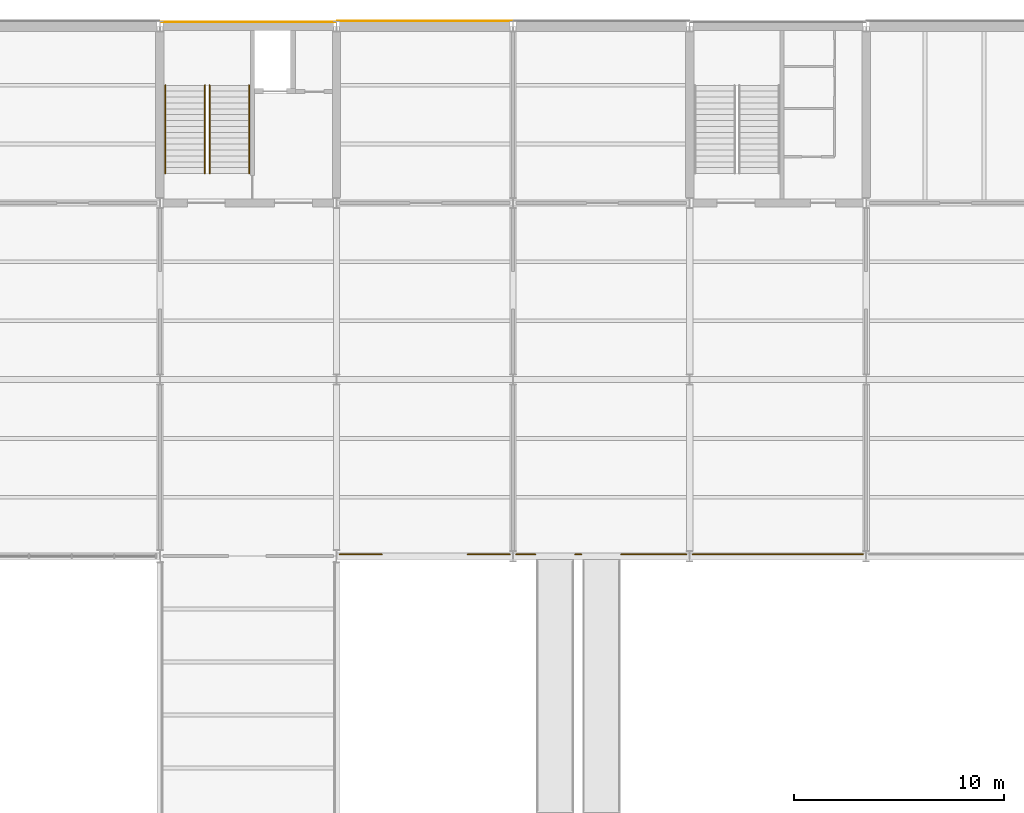
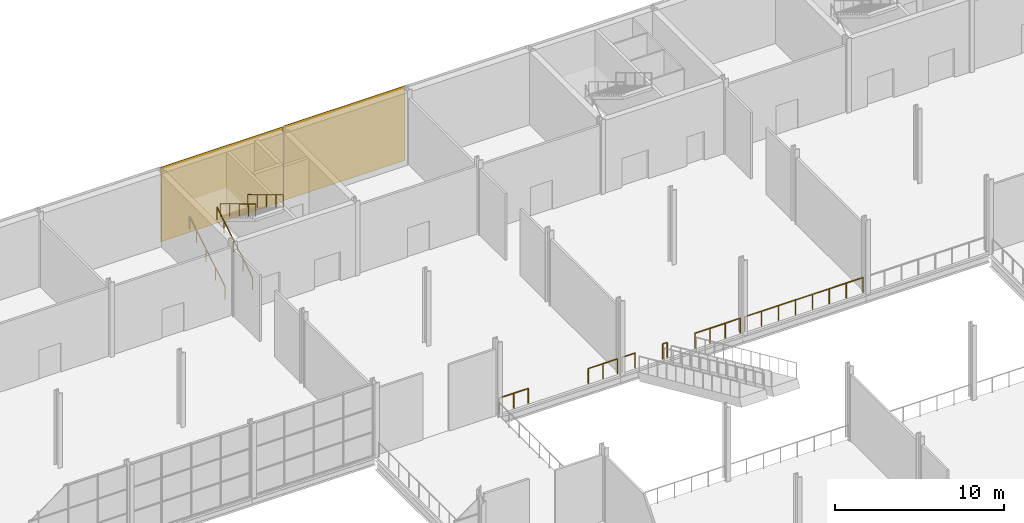
# One storey, part 53 of 64: 10 railings, 2 coverings.
"""IFC4 building model written with IfcOpenShell, lengths in metres."""

from ifc_helpers import new_model, si_unit, direction, frame, origin, origin_2d, place, context, subcontext, project, spatial, rectangle, circle, extrude, material, layer, layer_set, type_object, element, save


model = new_model("IFC4")

# Units and contexts
model_context = context("Model", 3, precision=1e-05, world=origin(), true_north=direction((0.0, 1.0)))
body_context = subcontext(model_context, "Body", "Model", "MODEL_VIEW")
ifc_project = project(units=[si_unit("LENGTHUNIT", "METRE"), si_unit("AREAUNIT", "SQUARE_METRE"), si_unit("VOLUMEUNIT", "CUBIC_METRE"), si_unit("PLANEANGLEUNIT", "RADIAN"), si_unit("MASSUNIT", "GRAM", prefix="KILO")], contexts=[model_context])

# Site, building, storey
site_placement = place(None, origin())
site = spatial("IfcSite", under=ifc_project, at=site_placement, CompositionType="ELEMENT")
building_placement = place(site_placement, origin())
building = spatial("IfcBuilding", under=site, at=building_placement, Name="Galleria Vessillo Department Store", CompositionType="ELEMENT")
storey_placement = place(building_placement, frame((0.0, 0.0, 6.0)))
storey = spatial("IfcBuildingStorey", under=building, at=storey_placement, Name="L01", CompositionType="ELEMENT", Elevation=6.0)

# Railings
ifc_material_1 = material(Name="Stainless steel tube", Category="steel")
railing_type_1 = type_object("IfcRailingType", Name="Atrium edge guard 1100 mm", PredefinedType="GUARDRAIL", material=ifc_material_1)
railing_1_placement = place(storey_placement, frame((42.152587890625, 37.880126953125, 0.0)))
element("IfcRailing", 1, at=railing_1_placement, inside=storey, type_object=railing_type_1, Name="Atrium edge guard L01-05", PredefinedType="GUARDRAIL", context=body_context, shape_type="SweptSolid", body=[
    extrude(circle(Radius=0.02392578125, at=origin_2d()), frame((0.0, 0.0, 1.076171875), z_axis=(1.0, 0.0, 0.0), x_axis=(0.0, 1.0, 0.0)), (0.0, 0.0, 1.0), 1.99755859375),
    extrude(circle(Radius=0.02099609375, at=origin_2d()), origin(), (0.0, 0.0, 1.0), 1.052001953125),
    extrude(circle(Radius=0.02099609375, at=origin_2d()), frame((0.998779296875, 0.0, 0.0)), (0.0, 0.0, 1.0), 1.052001953125),
    extrude(circle(Radius=0.02099609375, at=origin_2d()), frame((1.99755859375, 0.0, 0.0)), (0.0, 0.0, 1.0), 1.052001953125),
])
railing_2_placement = place(storey_placement, frame((48.25, 37.880126953125, 0.0)))
element("IfcRailing", 2, at=railing_2_placement, inside=storey, type_object=railing_type_1, Name="Atrium edge guard L01-06", PredefinedType="GUARDRAIL", context=body_context, shape_type="SweptSolid", body=[
    extrude(circle(Radius=0.02392578125, at=origin_2d()), frame((0.0, 0.0, 1.076171875), z_axis=(1.0, 0.0, 0.0), x_axis=(0.0, 1.0, 0.0)), (0.0, 0.0, 1.0), 1.9970703125),
    extrude(circle(Radius=0.02099609375, at=origin_2d()), origin(), (0.0, 0.0, 1.0), 1.052001953125),
    extrude(circle(Radius=0.02099609375, at=origin_2d()), frame((0.99853515625, 0.0, 0.0)), (0.0, 0.0, 1.0), 1.052001953125),
    extrude(circle(Radius=0.02099609375, at=origin_2d()), frame((1.9970703125, 0.0, 0.0)), (0.0, 0.0, 1.0), 1.052001953125),
])
railing_3_placement = place(storey_placement, frame((50.552978515625, 37.880126953125, 0.0)))
element("IfcRailing", 3, at=railing_3_placement, inside=storey, type_object=railing_type_1, Name="Atrium edge guard L01-07", PredefinedType="GUARDRAIL", context=body_context, shape_type="SweptSolid", body=[
    extrude(circle(Radius=0.02392578125, at=origin_2d()), frame((0.0, 0.0, 1.076171875), z_axis=(1.0, 0.0, 0.0), x_axis=(0.0, 1.0, 0.0)), (0.0, 0.0, 1.0), 0.89697265625),
    extrude(circle(Radius=0.02099609375, at=origin_2d()), origin(), (0.0, 0.0, 1.0), 1.052001953125),
    extrude(circle(Radius=0.02099609375, at=origin_2d()), frame((0.89697265625, 0.0, 0.0)), (0.0, 0.0, 1.0), 1.052001953125),
])
railing_4_placement = place(storey_placement, frame((53.349853515625, 37.880126953125, 0.0)))
element("IfcRailing", 4, at=railing_4_placement, inside=storey, type_object=railing_type_1, Name="Atrium edge guard L01-08", PredefinedType="GUARDRAIL", context=body_context, shape_type="SweptSolid", body=[
    extrude(circle(Radius=0.02392578125, at=origin_2d()), frame((0.0, 0.0, 1.076171875), z_axis=(1.0, 0.0, 0.0), x_axis=(0.0, 1.0, 0.0)), (0.0, 0.0, 1.0), 0.30029296875),
    extrude(circle(Radius=0.02099609375, at=origin_2d()), origin(), (0.0, 0.0, 1.0), 1.052001953125),
    extrude(circle(Radius=0.02099609375, at=origin_2d()), frame((0.30029296875, 0.0, 0.0)), (0.0, 0.0, 1.0), 1.052001953125),
])
railing_5_placement = place(storey_placement, frame((55.550048828125, 37.880126953125, 0.0)))
element("IfcRailing", 5, at=railing_5_placement, inside=storey, type_object=railing_type_1, Name="Atrium edge guard L01-09", PredefinedType="GUARDRAIL", context=body_context, shape_type="SweptSolid", body=[
    extrude(circle(Radius=0.02392578125, at=origin_2d()), frame((0.0, 0.0, 1.076171875), z_axis=(1.0, 0.0, 0.0), x_axis=(0.0, 1.0, 0.0)), (0.0, 0.0, 1.0), 3.096923828125),
    extrude(circle(Radius=0.02099609375, at=origin_2d()), origin(), (0.0, 0.0, 1.0), 1.052001953125),
    extrude(circle(Radius=0.02099609375, at=origin_2d()), frame((1.0322265625, 0.0, 0.0)), (0.0, 0.0, 1.0), 1.052001953125),
    extrude(circle(Radius=0.02099609375, at=origin_2d()), frame((2.064697265625, 0.0, 0.0)), (0.0, 0.0, 1.0), 1.052001953125),
    extrude(circle(Radius=0.02099609375, at=origin_2d()), frame((3.096923828125, 0.0, 0.0)), (0.0, 0.0, 1.0), 1.052001953125),
])
railing_6_placement = place(storey_placement, frame((58.952880859375, 37.880126953125, 0.0)))
element("IfcRailing", 6, at=railing_6_placement, inside=storey, type_object=railing_type_1, Name="Atrium edge guard L01-10", PredefinedType="GUARDRAIL", context=body_context, shape_type="SweptSolid", body=[
    extrude(circle(Radius=0.02392578125, at=origin_2d()), frame((0.0, 0.0, 1.076171875), z_axis=(1.0, 0.0, 0.0), x_axis=(0.0, 1.0, 0.0)), (0.0, 0.0, 1.0), 8.09423828125),
    extrude(circle(Radius=0.02099609375, at=origin_2d()), origin(), (0.0, 0.0, 1.0), 1.052001953125),
    extrude(circle(Radius=0.02099609375, at=origin_2d()), frame((1.15625, 0.0, 0.0)), (0.0, 0.0, 1.0), 1.052001953125),
    extrude(circle(Radius=0.02099609375, at=origin_2d()), frame((2.312744140625, 0.0, 0.0)), (0.0, 0.0, 1.0), 1.052001953125),
    extrude(circle(Radius=0.02099609375, at=origin_2d()), frame((3.468994140625, 0.0, 0.0)), (0.0, 0.0, 1.0), 1.052001953125),
    extrude(circle(Radius=0.02099609375, at=origin_2d()), frame((4.625244140625, 0.0, 0.0)), (0.0, 0.0, 1.0), 1.052001953125),
    extrude(circle(Radius=0.02099609375, at=origin_2d()), frame((5.781494140625, 0.0, 0.0)), (0.0, 0.0, 1.0), 1.052001953125),
    extrude(circle(Radius=0.02099609375, at=origin_2d()), frame((6.93798828125, 0.0, 0.0)), (0.0, 0.0, 1.0), 1.052001953125),
    extrude(circle(Radius=0.02099609375, at=origin_2d()), frame((8.09423828125, 0.0, 0.0)), (0.0, 0.0, 1.0), 1.052001953125),
])

# Coverings
ifc_material_2 = material(Name="Lime plaster (intonaco) ochre")
ifc_layer = layer(ifc_material_2, 0.030029296875)
ifc_layer_set = layer_set([ifc_layer], Name="Lime plaster (intonaco) ochre")
covering_type = type_object("IfcCoveringType", Name="Lime plaster render 30 mm", PredefinedType="CLADDING", material=ifc_layer_set)
covering_1_placement = place(storey_placement, frame((37.800048828125, 63.215087890625, 0.0), z_axis=(0.0, 0.0, 1.0), x_axis=(1.0, 0.0, 0.0)))
element("IfcCovering", 7, at=covering_1_placement, inside=storey, type_object=covering_type, Name="Wall cladding S-CW-PC-NM-PARTY-L01", PredefinedType="CLADDING", context=body_context, shape_type="SweptSolid", body=[
    extrude(rectangle(XDim=8.33984375, YDim=0.030029296875, at=origin_2d()), origin(), (0.0, 0.0, 1.0), 5.39990234375),
])
covering_2_placement = place(storey_placement, frame((46.199951171875, 63.264892578125, 0.0), z_axis=(0.0, 0.0, 1.0), x_axis=(1.0, 0.0, 0.0)))
element("IfcCovering", 8, at=covering_2_placement, inside=storey, type_object=covering_type, Name="Wall cladding S-PN-L01-04", PredefinedType="CLADDING", context=body_context, shape_type="SweptSolid", body=[
    extrude(rectangle(XDim=8.340087890625, YDim=0.030029296875, at=origin_2d()), origin(), (0.0, 0.0, 1.0), 5.39990234375),
])

# Railings
ifc_material_3 = material(Name="Stainless steel tube", Category="steel")
railing_type_2 = type_object("IfcRailingType", Name="Stair handrail steel tube 48 mm", PredefinedType="HANDRAIL", material=ifc_material_3)
for number, where, name in (
    (9, (33.860107421875, 56.0, 0.168701171875), "Handrail ST4 L01 flight 1A"),
    (10, (35.739990234375, 56.0, 0.168701171875), "Handrail ST4 L01 flight 1B"),
):
    element("IfcRailing", number, at=place(storey_placement, frame(where)), inside=storey, type_object=railing_type_2, Name=name, PredefinedType="HANDRAIL", context=body_context, shape_type="SweptSolid", body=[
        extrude(circle(Radius=0.02392578125, at=origin_2d()), frame((0.0, 0.0, 0.89599609375), z_axis=(0.0, 0.856486514401, 0.516169401116), x_axis=(-1.0, 0.0, 0.0)), (0.0, 0.0, 1.0), 1.307861328125),
        extrude(circle(Radius=0.02392578125, at=origin_2d()), frame((0.0, 1.1201171875, 1.57080078125), z_axis=(0.0, 0.856436765236, 0.516251941548), x_axis=(-1.0, 0.0, 0.0)), (0.0, 0.0, 1.0), 1.3076171875),
        extrude(circle(Radius=0.02392578125, at=origin_2d()), frame((0.0, 2.239990234375, 2.24609375), z_axis=(0.0, 0.856486514401, 0.516169401116), x_axis=(-1.0, 0.0, 0.0)), (0.0, 0.0, 1.0), 1.307861328125),
        extrude(circle(Radius=0.02392578125, at=origin_2d()), frame((0.0, 3.360107421875, 2.9208984375), z_axis=(0.0, 0.856502732318, 0.516142489563), x_axis=(-1.0, 0.0, 0.0)), (0.0, 0.0, 1.0), 0.98046875),
        extrude(circle(Radius=0.02099609375, at=origin_2d()), origin(), (0.0, 0.0, 1.0), 0.871826171875),
        extrude(circle(Radius=0.02099609375, at=origin_2d()), frame((0.0, 1.1201171875, 0.675048828125)), (0.0, 0.0, 1.0), 0.871826171875),
        extrude(circle(Radius=0.02099609375, at=origin_2d()), frame((0.0, 2.239990234375, 1.35009765625)), (0.0, 0.0, 1.0), 0.871826171875),
        extrude(circle(Radius=0.02099609375, at=origin_2d()), frame((0.0, 3.360107421875, 2.025146484375)), (0.0, 0.0, 1.0), 0.871826171875),
        extrude(circle(Radius=0.02099609375, at=origin_2d()), frame((0.0, 4.199951171875, 2.53125)), (0.0, 0.0, 1.0), 0.871826171875),
    ])
for number, where, name in (
    (11, (37.83984375, 60.199951171875, 2.86865234375), "Handrail ST4 L01 flight 2A"),
    (12, (35.9599609375, 60.199951171875, 2.86865234375), "Handrail ST4 L01 flight 2B"),
):
    element("IfcRailing", number, at=place(storey_placement, frame(where)), inside=storey, type_object=railing_type_2, Name=name, PredefinedType="HANDRAIL", context=body_context, shape_type="SweptSolid", body=[
        extrude(circle(Radius=0.02392578125, at=origin_2d()), frame((0.0, 0.0, 0.89599609375), z_axis=(0.0, -0.856486514401, 0.516169401116), x_axis=(1.0, 0.0, 0.0)), (0.0, 0.0, 1.0), 1.307861328125),
        extrude(circle(Radius=0.02392578125, at=origin_2d()), frame((0.0, -1.1201171875, 1.57080078125), z_axis=(0.0, -0.856436765236, 0.516251941548), x_axis=(1.0, 0.0, 0.0)), (0.0, 0.0, 1.0), 1.3076171875),
        extrude(circle(Radius=0.02392578125, at=origin_2d()), frame((0.0, -2.239990234375, 2.24609375), z_axis=(0.0, -0.856486514401, 0.516169401116), x_axis=(1.0, 0.0, 0.0)), (0.0, 0.0, 1.0), 1.307861328125),
        extrude(circle(Radius=0.02392578125, at=origin_2d()), frame((0.0, -3.360107421875, 2.9208984375), z_axis=(0.0, -0.856502732318, 0.516142489563), x_axis=(1.0, 0.0, 0.0)), (0.0, 0.0, 1.0), 0.98046875),
        extrude(circle(Radius=0.02099609375, at=origin_2d()), origin(), (0.0, 0.0, 1.0), 0.871826171875),
        extrude(circle(Radius=0.02099609375, at=origin_2d()), frame((0.0, -1.1201171875, 0.675048828125)), (0.0, 0.0, 1.0), 0.871826171875),
        extrude(circle(Radius=0.02099609375, at=origin_2d()), frame((0.0, -2.239990234375, 1.35009765625)), (0.0, 0.0, 1.0), 0.871826171875),
        extrude(circle(Radius=0.02099609375, at=origin_2d()), frame((0.0, -3.360107421875, 2.025146484375)), (0.0, 0.0, 1.0), 0.871826171875),
        extrude(circle(Radius=0.02099609375, at=origin_2d()), frame((0.0, -4.199951171875, 2.53125)), (0.0, 0.0, 1.0), 0.871826171875),
    ])

save(model, "model.ifc")
